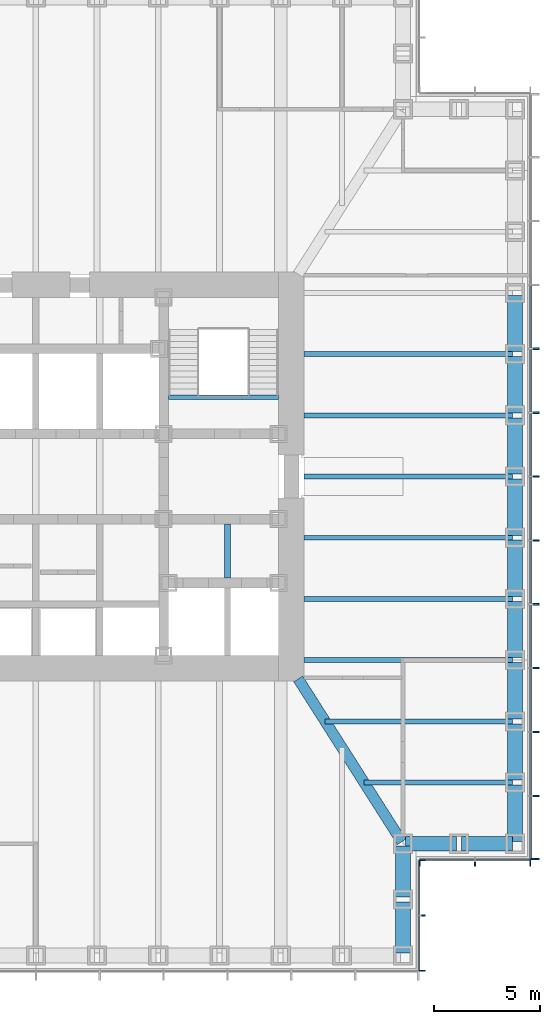
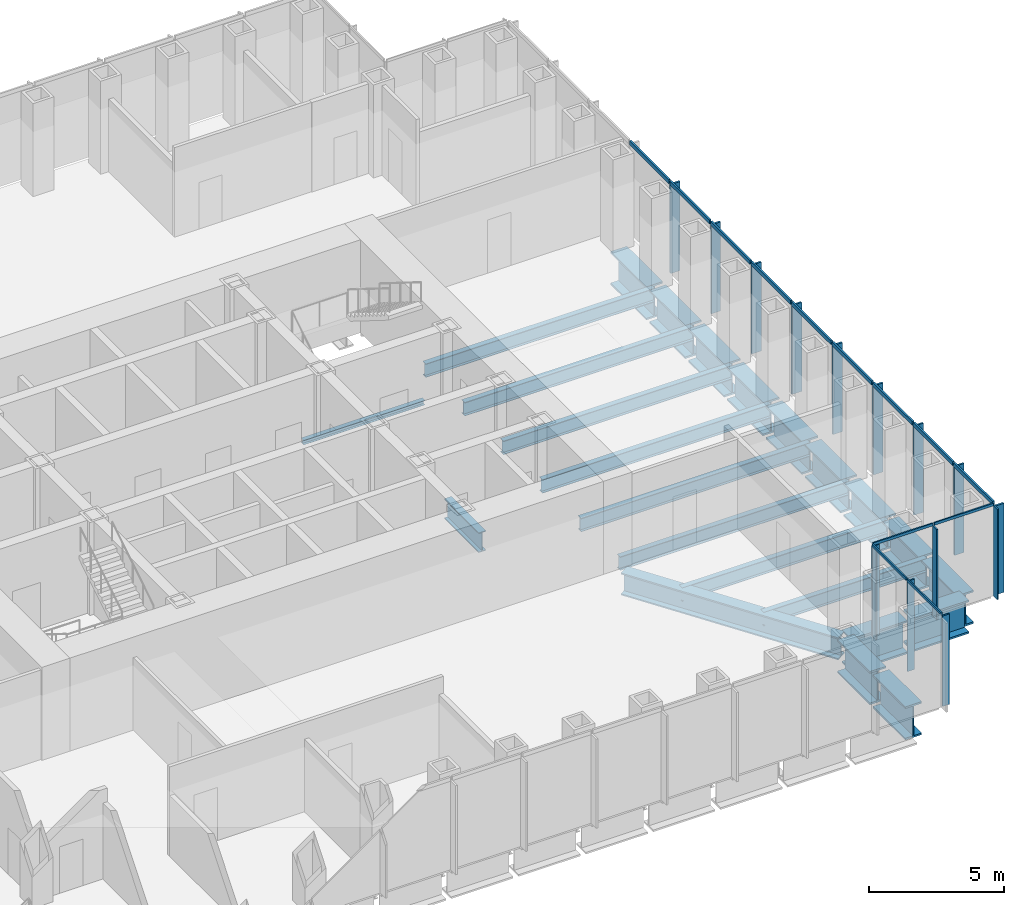
# One storey, part 4 of 17: 28 members, 24 beams, 3 elements without a shape of their own.
"""IFC4 building model written with IfcOpenShell, lengths in metres."""

from ifc_helpers import new_model, si_unit, direction, frame, origin, origin_2d, place, context, subcontext, project, spatial, rectangle, i_section, extrude, material, material_profile, profile_set, type_object, element, aggregate, save


model = new_model("IFC4")

# Units and contexts
model_context = context("Model", 3, precision=1e-05, world=origin(), true_north=direction((0.0, 1.0)))
body_context = subcontext(model_context, "Body", "Model", "MODEL_VIEW")
ifc_project = project(units=[si_unit("LENGTHUNIT", "METRE"), si_unit("AREAUNIT", "SQUARE_METRE"), si_unit("VOLUMEUNIT", "CUBIC_METRE"), si_unit("PLANEANGLEUNIT", "RADIAN"), si_unit("MASSUNIT", "GRAM", prefix="KILO")], contexts=[model_context])

# Site, building, storey
site_placement = place(None, origin())
site = spatial("IfcSite", under=ifc_project, at=site_placement, CompositionType="ELEMENT")
building_placement = place(site_placement, origin())
building = spatial("IfcBuilding", under=site, at=building_placement, Name="Daluyong Arena Tower", CompositionType="ELEMENT")
storey_placement = place(building_placement, frame((0.0, 0.0, 154.300048828125)))
storey = spatial("IfcBuildingStorey", under=building, at=storey_placement, Name="L34", CompositionType="ELEMENT", Elevation=154.300048828125)

# Curtain wall, members
ifc_material_1 = material(Name="Bronze anodised aluminium and glass", Category="aluminium")
curtain_wall_type_1 = type_object("IfcCurtainWallType", Name="Curtain wall CW2", PredefinedType="USERDEFINED", material=ifc_material_1)
curtain_wall_1_placement = place(storey_placement, origin())
curtain_wall_1 = element("IfcCurtainWall", 1, at=curtain_wall_1_placement, inside=storey, type_object=curtain_wall_type_1, Name="curtain wall L34 E", ObjectType="UNITISED CURTAIN WALL", PredefinedType="USERDEFINED")
ifc_material_2 = material(Name="Bronze anodised aluminium fin", Category="aluminium")
ifc_material_profile_1 = material_profile(ifc_material_2, rectangle(XDim=0.39990234375, YDim=0.080078125, at=origin_2d()))
ifc_profile_set_1 = profile_set([ifc_material_profile_1], Name="Bronze anodised aluminium fin")
member_type_1 = type_object("IfcMemberType", Name="CW2 bronze fin 400x80", PredefinedType="MULLION", material=ifc_profile_set_1)
member_1_placement = place(storey_placement, frame((79.449951171875, 62.0400390625, 0.0), z_axis=(0.0, 0.0, 1.0), x_axis=(-1.0, 0.0, 0.0)))
member_1 = element("IfcMember", 2, at=member_1_placement, type_object=member_type_1, Name="curtain wall L34 E fin 1", PredefinedType="MULLION", context=body_context, shape_type="SweptSolid", body=[
    extrude(rectangle(XDim=0.39990234375, YDim=0.080078125, at=origin_2d()), origin(), (0.0, 0.0, 1.0), 4.02001953125),
])
member_2_placement = place(storey_placement, frame((79.449951171875, 65.0, 0.0), z_axis=(0.0, 0.0, 1.0), x_axis=(-1.0, 0.0, 0.0)))
member_2 = element("IfcMember", 3, at=member_2_placement, type_object=member_type_1, Name="curtain wall L34 E fin 2", PredefinedType="MULLION", context=body_context, shape_type="SweptSolid", body=[
    extrude(rectangle(XDim=0.39990234375, YDim=0.080078125, at=origin_2d()), origin(), (0.0, 0.0, 1.0), 4.02001953125),
])
member_3_placement = place(storey_placement, frame((79.449951171875, 68.0, 0.0), z_axis=(0.0, 0.0, 1.0), x_axis=(-1.0, 0.0, 0.0)))
member_3 = element("IfcMember", 4, at=member_3_placement, type_object=member_type_1, Name="curtain wall L34 E fin 3", PredefinedType="MULLION", context=body_context, shape_type="SweptSolid", body=[
    extrude(rectangle(XDim=0.39990234375, YDim=0.080078125, at=origin_2d()), origin(), (0.0, 0.0, 1.0), 4.02001953125),
])
member_4_placement = place(storey_placement, frame((79.449951171875, 71.0, 0.0), z_axis=(0.0, 0.0, 1.0), x_axis=(-1.0, 0.0, 0.0)))
member_4 = element("IfcMember", 5, at=member_4_placement, type_object=member_type_1, Name="curtain wall L34 E fin 4", PredefinedType="MULLION", context=body_context, shape_type="SweptSolid", body=[
    extrude(rectangle(XDim=0.39990234375, YDim=0.080078125, at=origin_2d()), origin(), (0.0, 0.0, 1.0), 4.02001953125),
])
member_5_placement = place(storey_placement, frame((79.449951171875, 74.0, 0.0), z_axis=(0.0, 0.0, 1.0), x_axis=(-1.0, 0.0, 0.0)))
member_5 = element("IfcMember", 6, at=member_5_placement, type_object=member_type_1, Name="curtain wall L34 E fin 5", PredefinedType="MULLION", context=body_context, shape_type="SweptSolid", body=[
    extrude(rectangle(XDim=0.39990234375, YDim=0.080078125, at=origin_2d()), origin(), (0.0, 0.0, 1.0), 4.02001953125),
])
member_6_placement = place(storey_placement, frame((79.449951171875, 77.0, 0.0), z_axis=(0.0, 0.0, 1.0), x_axis=(-1.0, 0.0, 0.0)))
member_6 = element("IfcMember", 7, at=member_6_placement, type_object=member_type_1, Name="curtain wall L34 E fin 6", PredefinedType="MULLION", context=body_context, shape_type="SweptSolid", body=[
    extrude(rectangle(XDim=0.39990234375, YDim=0.080078125, at=origin_2d()), origin(), (0.0, 0.0, 1.0), 4.02001953125),
])
member_7_placement = place(storey_placement, frame((79.449951171875, 80.0, 0.0), z_axis=(0.0, 0.0, 1.0), x_axis=(-1.0, 0.0, 0.0)))
member_7 = element("IfcMember", 8, at=member_7_placement, type_object=member_type_1, Name="curtain wall L34 E fin 7", PredefinedType="MULLION", context=body_context, shape_type="SweptSolid", body=[
    extrude(rectangle(XDim=0.39990234375, YDim=0.080078125, at=origin_2d()), origin(), (0.0, 0.0, 1.0), 4.02001953125),
])
member_8_placement = place(storey_placement, frame((79.449951171875, 83.0, 0.0), z_axis=(0.0, 0.0, 1.0), x_axis=(-1.0, 0.0, 0.0)))
member_8 = element("IfcMember", 9, at=member_8_placement, type_object=member_type_1, Name="curtain wall L34 E fin 8", PredefinedType="MULLION", context=body_context, shape_type="SweptSolid", body=[
    extrude(rectangle(XDim=0.39990234375, YDim=0.080078125, at=origin_2d()), origin(), (0.0, 0.0, 1.0), 4.02001953125),
])
member_9_placement = place(storey_placement, frame((79.449951171875, 86.0, 0.0), z_axis=(0.0, 0.0, 1.0), x_axis=(-1.0, 0.0, 0.0)))
member_9 = element("IfcMember", 10, at=member_9_placement, type_object=member_type_1, Name="curtain wall L34 E fin 9", PredefinedType="MULLION", context=body_context, shape_type="SweptSolid", body=[
    extrude(rectangle(XDim=0.39990234375, YDim=0.080078125, at=origin_2d()), origin(), (0.0, 0.0, 1.0), 4.02001953125),
])
ifc_material_3 = material(Name="Bronze anodised aluminium", Category="aluminium")
ifc_material_profile_2 = material_profile(ifc_material_3, rectangle(XDim=0.080078125, YDim=0.179931640625, at=origin_2d()))
ifc_profile_set_2 = profile_set([ifc_material_profile_2], Name="Bronze anodised aluminium")
member_type_2 = type_object("IfcMemberType", Name="CW2 stack transom 180x80", PredefinedType="USERDEFINED", material=ifc_profile_set_2)
member_10_placement = place(storey_placement, frame((79.25, 62.080078125, 4.10986328125), z_axis=(0.0, 1.0, 0.0), x_axis=(-1.0, 0.0, 0.0)))
member_10 = element("IfcMember", 11, at=member_10_placement, type_object=member_type_2, Name="curtain wall L34 E transom 1", ObjectType="TRANSOM", PredefinedType="USERDEFINED", context=body_context, shape_type="SweptSolid", body=[
    extrude(rectangle(XDim=0.080078125, YDim=0.179931640625, at=origin_2d()), origin(), (0.0, 0.0, 1.0), 2.8798828125),
])
member_11_placement = place(storey_placement, frame((79.25, 65.0400390625, 4.10986328125), z_axis=(0.0, 1.0, 0.0), x_axis=(-1.0, 0.0, 0.0)))
member_11 = element("IfcMember", 12, at=member_11_placement, type_object=member_type_2, Name="curtain wall L34 E transom 2", ObjectType="TRANSOM", PredefinedType="USERDEFINED", context=body_context, shape_type="SweptSolid", body=[
    extrude(rectangle(XDim=0.080078125, YDim=0.179931640625, at=origin_2d()), origin(), (0.0, 0.0, 1.0), 2.919921875),
])
member_12_placement = place(storey_placement, frame((79.25, 68.0400390625, 4.10986328125), z_axis=(0.0, 1.0, 0.0), x_axis=(-1.0, 0.0, 0.0)))
member_12 = element("IfcMember", 13, at=member_12_placement, type_object=member_type_2, Name="curtain wall L34 E transom 3", ObjectType="TRANSOM", PredefinedType="USERDEFINED", context=body_context, shape_type="SweptSolid", body=[
    extrude(rectangle(XDim=0.080078125, YDim=0.179931640625, at=origin_2d()), origin(), (0.0, 0.0, 1.0), 2.919921875),
])
member_13_placement = place(storey_placement, frame((79.25, 71.0400390625, 4.10986328125), z_axis=(0.0, 1.0, 0.0), x_axis=(-1.0, 0.0, 0.0)))
member_13 = element("IfcMember", 14, at=member_13_placement, type_object=member_type_2, Name="curtain wall L34 E transom 4", ObjectType="TRANSOM", PredefinedType="USERDEFINED", context=body_context, shape_type="SweptSolid", body=[
    extrude(rectangle(XDim=0.080078125, YDim=0.179931640625, at=origin_2d()), origin(), (0.0, 0.0, 1.0), 2.919921875),
])
member_14_placement = place(storey_placement, frame((79.25, 74.0400390625, 4.10986328125), z_axis=(0.0, 1.0, 0.0), x_axis=(-1.0, 0.0, 0.0)))
member_14 = element("IfcMember", 15, at=member_14_placement, type_object=member_type_2, Name="curtain wall L34 E transom 5", ObjectType="TRANSOM", PredefinedType="USERDEFINED", context=body_context, shape_type="SweptSolid", body=[
    extrude(rectangle(XDim=0.080078125, YDim=0.179931640625, at=origin_2d()), origin(), (0.0, 0.0, 1.0), 2.919921875),
])
member_15_placement = place(storey_placement, frame((79.25, 77.0400390625, 4.10986328125), z_axis=(0.0, 1.0, 0.0), x_axis=(-1.0, 0.0, 0.0)))
member_15 = element("IfcMember", 16, at=member_15_placement, type_object=member_type_2, Name="curtain wall L34 E transom 6", ObjectType="TRANSOM", PredefinedType="USERDEFINED", context=body_context, shape_type="SweptSolid", body=[
    extrude(rectangle(XDim=0.080078125, YDim=0.179931640625, at=origin_2d()), origin(), (0.0, 0.0, 1.0), 2.919921875),
])
member_16_placement = place(storey_placement, frame((79.25, 80.0400390625, 4.10986328125), z_axis=(0.0, 1.0, 0.0), x_axis=(-1.0, 0.0, 0.0)))
member_16 = element("IfcMember", 17, at=member_16_placement, type_object=member_type_2, Name="curtain wall L34 E transom 7", ObjectType="TRANSOM", PredefinedType="USERDEFINED", context=body_context, shape_type="SweptSolid", body=[
    extrude(rectangle(XDim=0.080078125, YDim=0.179931640625, at=origin_2d()), origin(), (0.0, 0.0, 1.0), 2.919921875),
])
member_17_placement = place(storey_placement, frame((79.25, 83.0400390625, 4.10986328125), z_axis=(0.0, 1.0, 0.0), x_axis=(-1.0, 0.0, 0.0)))
member_17 = element("IfcMember", 18, at=member_17_placement, type_object=member_type_2, Name="curtain wall L34 E transom 8", ObjectType="TRANSOM", PredefinedType="USERDEFINED", context=body_context, shape_type="SweptSolid", body=[
    extrude(rectangle(XDim=0.080078125, YDim=0.179931640625, at=origin_2d()), origin(), (0.0, 0.0, 1.0), 2.919921875),
])
member_18_placement = place(storey_placement, frame((79.25, 86.0400390625, 4.10986328125), z_axis=(0.0, 1.0, 0.0), x_axis=(-1.0, 0.0, 0.0)))
member_18 = element("IfcMember", 19, at=member_18_placement, type_object=member_type_2, Name="curtain wall L34 E transom 9", ObjectType="TRANSOM", PredefinedType="USERDEFINED", context=body_context, shape_type="SweptSolid", body=[
    extrude(rectangle(XDim=0.080078125, YDim=0.179931640625, at=origin_2d()), origin(), (0.0, 0.0, 1.0), 2.919921875),
])
aggregate(curtain_wall_1, [member_1, member_2, member_3, member_4, member_5, member_6, member_7, member_8, member_9, member_10, member_11, member_12, member_13, member_14, member_15, member_16, member_17, member_18])

ifc_material_4 = material(Name="Bronze anodised aluminium and glass", Category="aluminium")
curtain_wall_type_2 = type_object("IfcCurtainWallType", Name="Curtain wall CW7", PredefinedType="USERDEFINED", material=ifc_material_4)
curtain_wall_2_placement = place(storey_placement, origin())
curtain_wall_2 = element("IfcCurtainWall", 20, at=curtain_wall_2_placement, inside=storey, type_object=curtain_wall_type_2, Name="curtain wall L34 SE-E", ObjectType="UNITISED CURTAIN WALL", PredefinedType="USERDEFINED")
ifc_material_5 = material(Name="Bronze anodised aluminium fin", Category="aluminium")
ifc_material_profile_3 = material_profile(ifc_material_5, rectangle(XDim=0.300048828125, YDim=0.06005859375, at=origin_2d()))
ifc_profile_set_3 = profile_set([ifc_material_profile_3], Name="Bronze anodised aluminium fin")
member_type_3 = type_object("IfcMemberType", Name="CW7 bronze fin 300x60", PredefinedType="MULLION", material=ifc_profile_set_3)
member_19_placement = place(storey_placement, frame((74.14990234375, 56.780029296875, 0.0), z_axis=(0.0, 0.0, 1.0), x_axis=(-1.0, 0.0, 0.0)))
member_19 = element("IfcMember", 21, at=member_19_placement, type_object=member_type_3, Name="curtain wall L34 SE-E fin 1", PredefinedType="MULLION", context=body_context, shape_type="SweptSolid", body=[
    extrude(rectangle(XDim=0.300048828125, YDim=0.06005859375, at=origin_2d()), origin(), (0.0, 0.0, 1.0), 4.079833984375),
])
member_20_placement = place(storey_placement, frame((74.14990234375, 59.375, 0.0), z_axis=(0.0, 0.0, 1.0), x_axis=(-1.0, 0.0, 0.0)))
member_20 = element("IfcMember", 22, at=member_20_placement, type_object=member_type_3, Name="curtain wall L34 SE-E fin 2", PredefinedType="MULLION", context=body_context, shape_type="SweptSolid", body=[
    extrude(rectangle(XDim=0.300048828125, YDim=0.06005859375, at=origin_2d()), origin(), (0.0, 0.0, 1.0), 4.079833984375),
])
member_21_placement = place(storey_placement, frame((74.14990234375, 61.969970703125, 0.0), z_axis=(0.0, 0.0, 1.0), x_axis=(-1.0, 0.0, 0.0)))
member_21 = element("IfcMember", 23, at=member_21_placement, type_object=member_type_3, Name="curtain wall L34 SE-E fin 3", PredefinedType="MULLION", context=body_context, shape_type="SweptSolid", body=[
    extrude(rectangle(XDim=0.300048828125, YDim=0.06005859375, at=origin_2d()), origin(), (0.0, 0.0, 1.0), 4.079833984375),
])

curtain_wall_3_placement = place(storey_placement, origin())
curtain_wall_3 = element("IfcCurtainWall", 24, at=curtain_wall_3_placement, inside=storey, type_object=curtain_wall_type_2, Name="curtain wall L34 SE-S", ObjectType="UNITISED CURTAIN WALL", PredefinedType="USERDEFINED")
member_22_placement = place(storey_placement, frame((74.030029296875, 61.85009765625, 0.0), z_axis=(0.0, 0.0, 1.0), x_axis=(0.0, 1.0, 0.0)))
member_22 = element("IfcMember", 25, at=member_22_placement, type_object=member_type_3, Name="curtain wall L34 SE-S fin 1", PredefinedType="MULLION", context=body_context, shape_type="SweptSolid", body=[
    extrude(rectangle(XDim=0.300048828125, YDim=0.06005859375, at=origin_2d()), origin(), (0.0, 0.0, 1.0), 4.079833984375),
])
member_23_placement = place(storey_placement, frame((76.625, 61.85009765625, 0.0), z_axis=(0.0, 0.0, 1.0), x_axis=(0.0, 1.0, 0.0)))
member_23 = element("IfcMember", 26, at=member_23_placement, type_object=member_type_3, Name="curtain wall L34 SE-S fin 2", PredefinedType="MULLION", context=body_context, shape_type="SweptSolid", body=[
    extrude(rectangle(XDim=0.300048828125, YDim=0.06005859375, at=origin_2d()), origin(), (0.0, 0.0, 1.0), 4.079833984375),
])
member_24_placement = place(storey_placement, frame((79.219970703125, 61.85009765625, 0.0), z_axis=(0.0, 0.0, 1.0), x_axis=(0.0, 1.0, 0.0)))
member_24 = element("IfcMember", 27, at=member_24_placement, type_object=member_type_3, Name="curtain wall L34 SE-S fin 3", PredefinedType="MULLION", context=body_context, shape_type="SweptSolid", body=[
    extrude(rectangle(XDim=0.300048828125, YDim=0.06005859375, at=origin_2d()), origin(), (0.0, 0.0, 1.0), 4.079833984375),
])

# Member
ifc_material_6 = material(Name="Bronze anodised aluminium", Category="aluminium")
ifc_material_profile_4 = material_profile(ifc_material_6, rectangle(XDim=0.06005859375, YDim=0.1201171875, at=origin_2d()))
ifc_profile_set_4 = profile_set([ifc_material_profile_4], Name="Bronze anodised aluminium")
member_type_4 = type_object("IfcMemberType", Name="CW7 stack transom 120x60", PredefinedType="USERDEFINED", material=ifc_profile_set_4)
member_25_placement = place(storey_placement, frame((74.0, 56.81005859375, 4.139892578125), z_axis=(0.0, 1.0, 0.0), x_axis=(-1.0, 0.0, 0.0)))
member_25 = element("IfcMember", 28, at=member_25_placement, type_object=member_type_4, Name="curtain wall L34 SE-E transom 1", ObjectType="TRANSOM", PredefinedType="USERDEFINED", context=body_context, shape_type="SweptSolid", body=[
    extrude(rectangle(XDim=0.06005859375, YDim=0.1201171875, at=origin_2d()), origin(), (0.0, 0.0, 1.0), 2.534912109375),
])

member_26_placement = place(storey_placement, frame((74.0, 59.405029296875, 4.139892578125), z_axis=(0.0, 1.0, 0.0), x_axis=(-1.0, 0.0, 0.0)))
member_26 = element("IfcMember", 29, at=member_26_placement, type_object=member_type_4, Name="curtain wall L34 SE-E transom 2", ObjectType="TRANSOM", PredefinedType="USERDEFINED", context=body_context, shape_type="SweptSolid", body=[
    extrude(rectangle(XDim=0.06005859375, YDim=0.1201171875, at=origin_2d()), origin(), (0.0, 0.0, 1.0), 2.534912109375),
])

aggregate(curtain_wall_2, [member_19, member_20, member_21, member_25, member_26])

member_27_placement = place(storey_placement, frame((74.06005859375, 62.0, 4.139892578125), z_axis=(1.0, 0.0, 0.0), x_axis=(0.0, 1.0, 0.0)))
member_27 = element("IfcMember", 30, at=member_27_placement, type_object=member_type_4, Name="curtain wall L34 SE-S transom 1", ObjectType="TRANSOM", PredefinedType="USERDEFINED", context=body_context, shape_type="SweptSolid", body=[
    extrude(rectangle(XDim=0.06005859375, YDim=0.1201171875, at=origin_2d()), origin(), (0.0, 0.0, 1.0), 2.534912109375),
])

member_28_placement = place(storey_placement, frame((76.655029296875, 62.0, 4.139892578125), z_axis=(1.0, 0.0, 0.0), x_axis=(0.0, 1.0, 0.0)))
member_28 = element("IfcMember", 31, at=member_28_placement, type_object=member_type_4, Name="curtain wall L34 SE-S transom 2", ObjectType="TRANSOM", PredefinedType="USERDEFINED", context=body_context, shape_type="SweptSolid", body=[
    extrude(rectangle(XDim=0.06005859375, YDim=0.1201171875, at=origin_2d()), origin(), (0.0, 0.0, 1.0), 2.534912109375),
])

aggregate(curtain_wall_3, [member_22, member_23, member_24, member_27, member_28])

# Beams
ifc_material_7 = material(Name="Steel ASTM A572 Grade 50", Category="steel")
ifc_material_profile_5 = material_profile(ifc_material_7, i_section(OverallWidth=0.5, OverallDepth=1.0, WebThickness=0.03, FlangeThickness=0.06, at=origin_2d()))
ifc_profile_set_5 = profile_set([ifc_material_profile_5], Name="Steel ASTM A572 Grade 50")
beam_type_1 = type_object("IfcBeamType", Name="Corner girder TB1000X500", PredefinedType="BEAM", material=ifc_profile_set_5)
beam_1_placement = place(storey_placement, frame((73.188232421875, 62.846923828125, -0.66015625), z_axis=(-0.536872006459, 0.843663705916, 0.0), x_axis=(-0.843663705916, -0.536872006459, 0.0)))
element("IfcBeam", 32, at=beam_1_placement, inside=storey, type_object=beam_type_1, Name="corner girder DG2", PredefinedType="BEAM", context=body_context, shape_type="SweptSolid", body=[
    extrude(i_section(OverallWidth=0.5, OverallDepth=1.0, WebThickness=0.03, FlangeThickness=0.06, at=origin_2d()), origin(), (0.0, 0.0, 1.0), 9.06396484375),
])
ifc_material_8 = material(Name="Steel ASTM A992 Grade 50", Category="steel")
ifc_material_profile_6 = material_profile(ifc_material_8, i_section(OverallWidth=0.22900390625, OverallDepth=0.612060546875, WebThickness=0.011962890625, FlangeThickness=0.01953125, at=origin_2d()))
ifc_profile_set_6 = profile_set([ifc_material_profile_6], Name="Steel ASTM A992 Grade 50")
beam_type_2 = type_object("IfcBeamType", Name="Floor beam W24X84", PredefinedType="BEAM", material=ifc_profile_set_6)
beam_2_placement = place(storey_placement, frame((78.385009765625, 65.625, -0.466064453125), z_axis=(-1.0, 0.0, 0.0), x_axis=(0.0, -1.0, 0.0)))
element("IfcBeam", 33, at=beam_2_placement, inside=storey, type_object=beam_type_2, Name="floor beam FB3", PredefinedType="BEAM", context=body_context, shape_type="SweptSolid", body=[
    extrude(i_section(OverallWidth=0.22900390625, OverallDepth=0.612060546875, WebThickness=0.011962890625, FlangeThickness=0.01953125, at=origin_2d()), origin(), (0.0, 0.0, 1.0), 6.964599609375),
])
beam_3_placement = place(storey_placement, frame((78.385009765625, 68.5, -0.466064453125), z_axis=(-1.0, 0.0, 0.0), x_axis=(0.0, -1.0, 0.0)))
element("IfcBeam", 34, at=beam_3_placement, inside=storey, type_object=beam_type_2, Name="floor beam FB3", PredefinedType="BEAM", context=body_context, shape_type="SweptSolid", body=[
    extrude(i_section(OverallWidth=0.22900390625, OverallDepth=0.612060546875, WebThickness=0.011962890625, FlangeThickness=0.01953125, at=origin_2d()), origin(), (0.0, 0.0, 1.0), 8.794189453125),
])
for number, where, z_axis, x_axis, name in (
    (35, (78.385009765625, 71.375, -0.466064453125), (-1.0, 0.0, 0.0), (0.0, -1.0, 0.0), "floor beam FB3"),
    (36, (78.385009765625, 74.25, -0.466064453125), (-1.0, 0.0, 0.0), (0.0, -1.0, 0.0), "floor beam FB3"),
    (37, (78.385009765625, 77.125, -0.466064453125), (-1.0, 0.0, 0.0), (0.0, -1.0, 0.0), "floor beam FB3"),
    (38, (78.385009765625, 80.0, -0.466064453125), (-1.0, 0.0, 0.0), (0.0, -1.0, 0.0), "floor beam FB3"),
    (39, (78.385009765625, 82.875, -0.466064453125), (-1.0, 0.0, 0.0), (0.0, -1.0, 0.0), "floor beam FB3"),
    (40, (78.385009765625, 85.75, -0.466064453125), (-1.0, 0.0, 0.0), (0.0, -1.0, 0.0), "floor beam FB3"),
):
    element("IfcBeam", number, at=place(storey_placement, frame(where, z_axis=z_axis, x_axis=x_axis)), inside=storey, type_object=beam_type_2, Name=name, PredefinedType="BEAM", context=body_context, shape_type="SweptSolid", body=[
        extrude(i_section(OverallWidth=0.22900390625, OverallDepth=0.612060546875, WebThickness=0.011962890625, FlangeThickness=0.01953125, at=origin_2d()), origin(), (0.0, 0.0, 1.0), 9.784912109375),
    ])
ifc_material_9 = material(Name="Steel ASTM A572 Grade 50", Category="steel")
ifc_material_profile_7 = material_profile(ifc_material_9, i_section(OverallWidth=0.300048828125, OverallDepth=0.89990234375, WebThickness=0.025, FlangeThickness=0.04, at=origin_2d()))
ifc_profile_set_7 = profile_set([ifc_material_profile_7], Name="Steel ASTM A572 Grade 50")
beam_type_3 = type_object("IfcBeamType", Name="Lift divider beam PG900X300", PredefinedType="BEAM", material=ifc_profile_set_7)
beam_4_placement = place(storey_placement, frame((65.0, 75.22509765625, -0.610107421875), z_axis=(0.0, 1.0, 0.0), x_axis=(-1.0, 0.0, 0.0)))
element("IfcBeam", 41, at=beam_4_placement, inside=storey, type_object=beam_type_3, Name="lift divider beam DB1", PredefinedType="BEAM", context=body_context, shape_type="SweptSolid", body=[
    extrude(i_section(OverallWidth=0.300048828125, OverallDepth=0.89990234375, WebThickness=0.025, FlangeThickness=0.04, at=origin_2d()), origin(), (0.0, 0.0, 1.0), 2.5498046875),
])
ifc_material_10 = material(Name="Steel ASTM A572 Grade 50", Category="steel")
ifc_material_profile_8 = material_profile(ifc_material_10, i_section(OverallWidth=0.699951171875, OverallDepth=1.5, WebThickness=0.04, FlangeThickness=0.08, at=origin_2d()))
ifc_profile_set_8 = profile_set([ifc_material_profile_8], Name="Steel ASTM A572 Grade 50")
beam_type_4 = type_object("IfcBeamType", Name="Spandrel Z2 PG1500X700", PredefinedType="SPANDREL", material=ifc_profile_set_8)
for number, where, z_axis, x_axis, name in (
    (42, (73.25, 57.614990234375, -0.91015625), (0.0, 1.0, 0.0), (-1.0, 0.0, 0.0), "spandrel z2 SB6"),
    (43, (73.25, 60.239990234375, -0.91015625), (0.0, 1.0, 0.0), (-1.0, 0.0, 0.0), "spandrel z2 SB6"),
    (44, (73.364990234375, 62.75, -0.91015625), (1.0, 0.0, 0.0), (0.0, 1.0, 0.0), "spandrel z2 SB6"),
    (45, (75.989990234375, 62.75, -0.91015625), (1.0, 0.0, 0.0), (0.0, 1.0, 0.0), "spandrel z2 SB6"),
):
    element("IfcBeam", number, at=place(storey_placement, frame(where, z_axis=z_axis, x_axis=x_axis)), inside=storey, type_object=beam_type_4, Name=name, PredefinedType="SPANDREL", context=body_context, shape_type="SweptSolid", body=[
        extrude(i_section(OverallWidth=0.699951171875, OverallDepth=1.5, WebThickness=0.04, FlangeThickness=0.08, at=origin_2d()), origin(), (0.0, 0.0, 1.0), 2.39501953125),
    ])
for number, where, z_axis, x_axis, name in (
    (46, (78.5, 62.864990234375, -0.91015625), (0.0, 1.0, 0.0), (-1.0, 0.0, 0.0), "spandrel z2 SB6"),
    (47, (78.5, 65.739990234375, -0.91015625), (0.0, 1.0, 0.0), (-1.0, 0.0, 0.0), "spandrel z2 SB6"),
    (48, (78.5, 68.614990234375, -0.91015625), (0.0, 1.0, 0.0), (-1.0, 0.0, 0.0), "spandrel z2 SB6"),
    (49, (78.5, 71.489990234375, -0.91015625), (0.0, 1.0, 0.0), (-1.0, 0.0, 0.0), "spandrel z2 SB6"),
    (50, (78.5, 74.364990234375, -0.91015625), (0.0, 1.0, 0.0), (-1.0, 0.0, 0.0), "spandrel z2 SB6"),
    (51, (78.5, 77.239990234375, -0.91015625), (0.0, 1.0, 0.0), (-1.0, 0.0, 0.0), "spandrel z2 SB6"),
    (52, (78.5, 80.114990234375, -0.91015625), (0.0, 1.0, 0.0), (-1.0, 0.0, 0.0), "spandrel z2 SB6"),
    (53, (78.5, 82.989990234375, -0.91015625), (0.0, 1.0, 0.0), (-1.0, 0.0, 0.0), "spandrel z2 SB6"),
    (54, (78.5, 85.864990234375, -0.91015625), (0.0, 1.0, 0.0), (-1.0, 0.0, 0.0), "spandrel z2 SB6"),
):
    element("IfcBeam", number, at=place(storey_placement, frame(where, z_axis=z_axis, x_axis=x_axis)), inside=storey, type_object=beam_type_4, Name=name, PredefinedType="SPANDREL", context=body_context, shape_type="SweptSolid", body=[
        extrude(i_section(OverallWidth=0.699951171875, OverallDepth=1.5, WebThickness=0.04, FlangeThickness=0.08, at=origin_2d()), origin(), (0.0, 0.0, 1.0), 2.64501953125),
    ])
ifc_material_11 = material(Name="Steel ASTM A992 Grade 50", Category="steel")
ifc_material_profile_9 = material_profile(ifc_material_11, i_section(OverallWidth=0.203125, OverallDepth=0.203125, WebThickness=0.00732421875, FlangeThickness=0.010986328125, at=origin_2d()))
ifc_profile_set_9 = profile_set([ifc_material_profile_9], Name="Steel ASTM A992 Grade 50")
beam_type_5 = type_object("IfcBeamType", Name="Stair landing beam W8X31", PredefinedType="BEAM", material=ifc_profile_set_9)
beam_5_placement = place(storey_placement, frame((62.22509765625, 83.723388671875, -0.26171875), z_axis=(1.0, 0.0, 0.0), x_axis=(0.0, 1.0, 0.0)))
element("IfcBeam", 55, at=beam_5_placement, inside=storey, type_object=beam_type_5, Name="exit stair B landing beam", PredefinedType="BEAM", context=body_context, shape_type="SweptSolid", body=[
    extrude(i_section(OverallWidth=0.203125, OverallDepth=0.203125, WebThickness=0.00732421875, FlangeThickness=0.010986328125, at=origin_2d()), origin(), (0.0, 0.0, 1.0), 5.1748046875),
])

save(model, "model.ifc")
